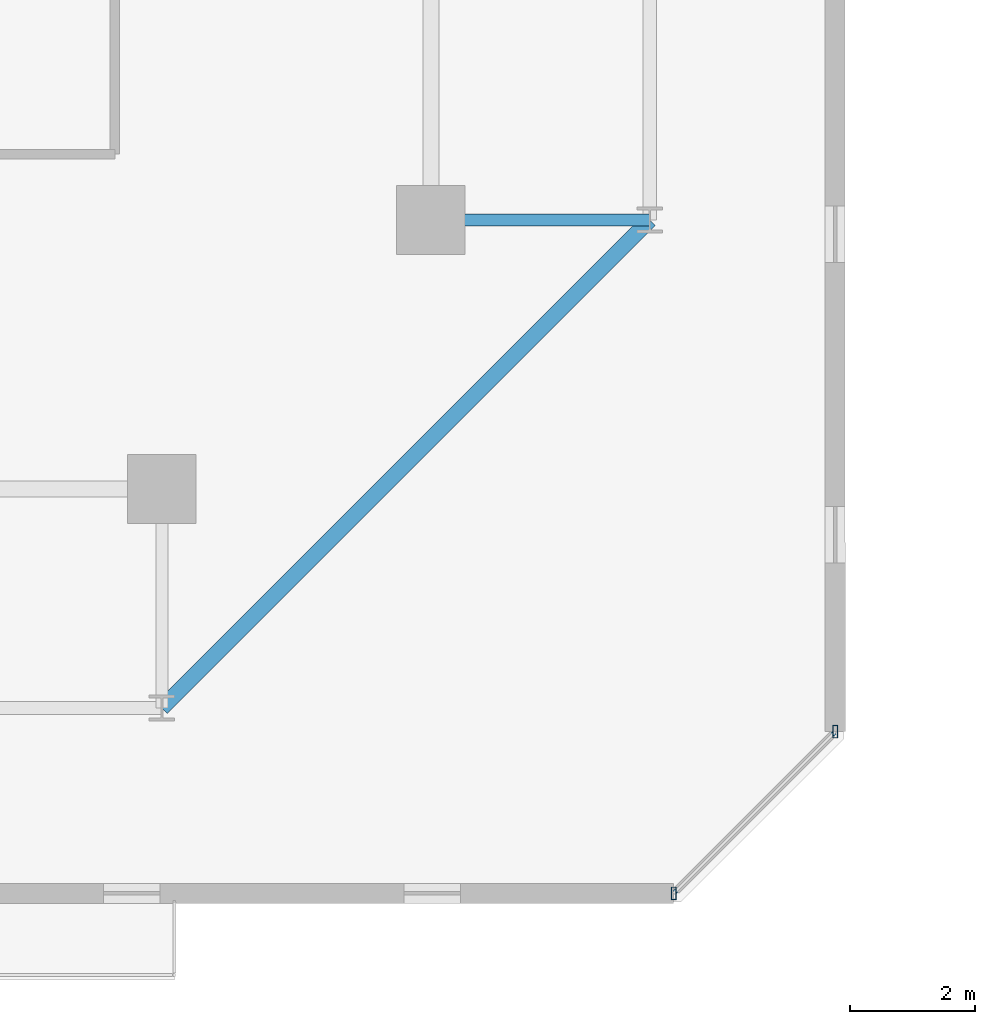
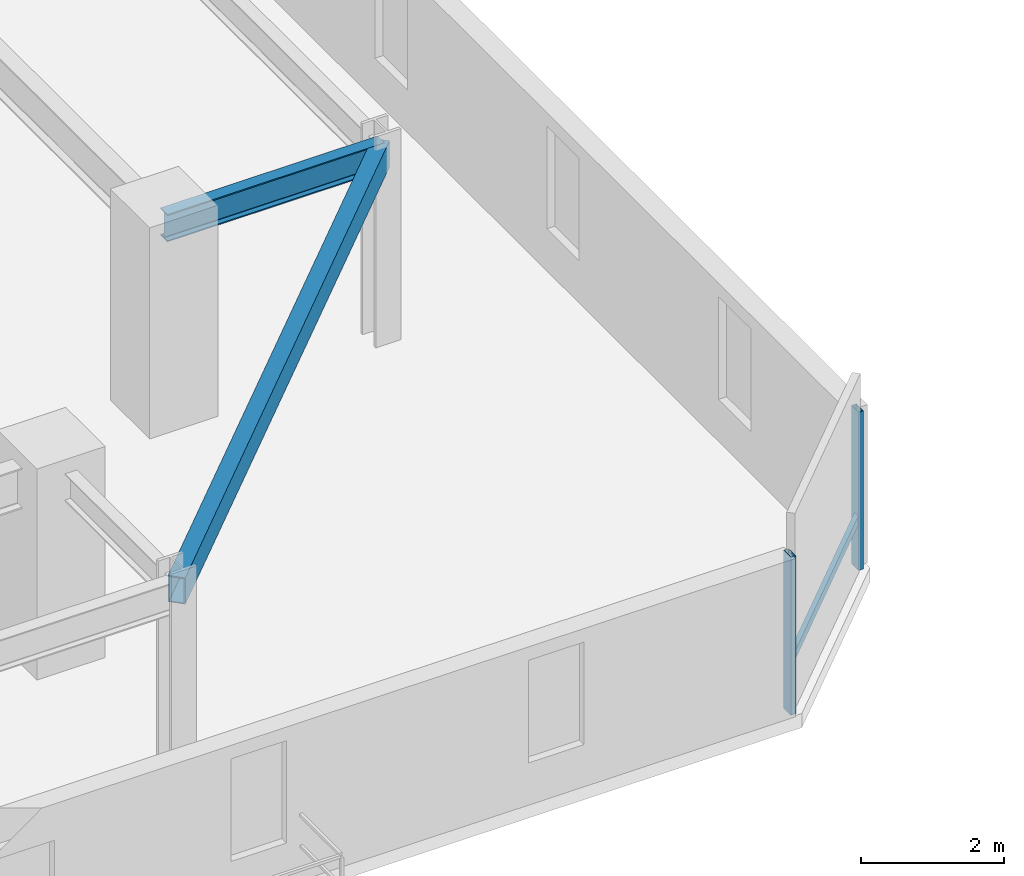
# One storey, part 5 of 33: 3 members, 2 beams, 1 element without a shape of its own.
"""IFC4 building model written with IfcOpenShell, lengths in metres."""

from ifc_helpers import new_model, si_unit, direction, frame, origin, origin_2d, place, context, subcontext, project, spatial, hollow_rectangle, i_section, extrude, material, material_profile, profile_set, type_object, element, aggregate, save


model = new_model("IFC4")

# Units and contexts
model_context = context("Model", 3, precision=1e-05, world=origin(), true_north=direction((0.0, 1.0)))
body_context = subcontext(model_context, "Body", "Model", "MODEL_VIEW")
ifc_project = project(units=[si_unit("LENGTHUNIT", "METRE"), si_unit("AREAUNIT", "SQUARE_METRE"), si_unit("VOLUMEUNIT", "CUBIC_METRE"), si_unit("PLANEANGLEUNIT", "RADIAN"), si_unit("MASSUNIT", "GRAM", prefix="KILO")], contexts=[model_context])

# Site, building, storey
site_placement = place(None, origin())
site = spatial("IfcSite", under=ifc_project, at=site_placement, CompositionType="ELEMENT")
building_placement = place(site_placement, origin())
building = spatial("IfcBuilding", under=site, at=building_placement, Name="Thornwick Lancets Civic Towers", CompositionType="ELEMENT")
storey_placement = place(building_placement, frame((0.0, 0.0, 163.5)))
storey = spatial("IfcBuildingStorey", under=building, at=storey_placement, Name="L43", CompositionType="ELEMENT", Elevation=163.5)

# Beams
ifc_material_1 = material(Name="Steel S355JR", Category="steel")
ifc_material_profile_1 = material_profile(ifc_material_1, i_section(OverallWidth=0.19287109375, OverallDepth=0.46728515625, WebThickness=0.011474609375, FlangeThickness=0.01953125, FilletRadius=0.01025390625, at=origin_2d()), Name="UKB 457x191x98")
ifc_profile_set_1 = profile_set([ifc_material_profile_1], Name="Steel S355JR")
beam_type_1 = type_object("IfcBeamType", Name="BM_JOIST_457_98", PredefinedType="JOIST", material=ifc_profile_set_1)
beam_1_placement = place(storey_placement, frame((42.800048828125, 14.0, 3.12646484375), z_axis=(1.0, 0.0, 0.0), x_axis=(0.0, 1.0, 0.0)))
element("IfcBeam", 1, at=beam_1_placement, inside=storey, type_object=beam_type_1, Name="BM-RAD-L43-A04", PredefinedType="JOIST", context=body_context, shape_type="SweptSolid", body=[
    extrude(i_section(OverallWidth=0.19287109375, OverallDepth=0.46728515625, WebThickness=0.011474609375, FlangeThickness=0.01953125, FilletRadius=0.01025390625, at=origin_2d()), origin(), (0.0, 0.0, 1.0), 3.5),
])
ifc_material_profile_2 = material_profile(ifc_material_1, hollow_rectangle(XDim=0.25, YDim=0.449951171875, WallThickness=0.01611328125, at=origin_2d()), Name="RHS 450x250x16")
ifc_profile_set_2 = profile_set([ifc_material_profile_2], Name="Steel S355JR")
beam_type_2 = type_object("IfcBeamType", Name="BM_RING_RHS450", PredefinedType="BEAM", material=ifc_profile_set_2)
beam_2_placement = place(storey_placement, frame((38.5, 6.199951171875, 3.135009765625), z_axis=(0.707106781187, 0.707106781187, 0.0), x_axis=(-0.707106781187, 0.707106781187, 0.0)))
element("IfcBeam", 2, at=beam_2_placement, inside=storey, type_object=beam_type_2, Name="BM-CHAMF-L43-A-C0", PredefinedType="BEAM", context=body_context, shape_type="SweptSolid", body=[
    extrude(hollow_rectangle(XDim=0.25, YDim=0.449951171875, WallThickness=0.01611328125, at=origin_2d()), origin(), (0.0, 0.0, 1.0), 11.031005859375),
])

# Curtain wall, members
ifc_material_2 = material(Name="Mid-zone chamfered-corner unitised glass curtain wall", Category="glass")
curtain_wall_type = type_object("IfcCurtainWallType", Name="CW_SYS_04", PredefinedType="NOTDEFINED", material=ifc_material_2)
curtain_wall_placement = place(storey_placement, origin())
curtain_wall = element("IfcCurtainWall", 3, at=curtain_wall_placement, inside=storey, type_object=curtain_wall_type, Name="L43 Curtain Wall CW-L43-A-E1", PredefinedType="NOTDEFINED")
ifc_material_3 = material(Name="Thermally broken bronze aluminium S355", Category="steel")
ifc_material_profile_3 = material_profile(ifc_material_3, hollow_rectangle(XDim=0.080078125, YDim=0.199951171875, WallThickness=0.006103515625, at=origin_2d()), Name="RHS 200x80x6")
ifc_profile_set_3 = profile_set([ifc_material_profile_3], Name="Thermally broken bronze aluminium S355")
member_type_1 = type_object("IfcMemberType", Name="CW_MUL_200", PredefinedType="MULLION", material=ifc_profile_set_3)
member_1_placement = place(storey_placement, frame((46.681396484375, 3.2353515625, 0.0), z_axis=(0.0, 0.0, 1.0), x_axis=(1.0, 0.0, 0.0)))
member_1 = element("IfcMember", 4, at=member_1_placement, type_object=member_type_1, Name="CW-L43-A-E1 Mullion 0", PredefinedType="MULLION", context=body_context, shape_type="SweptSolid", body=[
    extrude(hollow_rectangle(XDim=0.080078125, YDim=0.199951171875, WallThickness=0.006103515625, at=origin_2d()), origin(), (0.0, 0.0, 1.0), 2.699951171875),
])
member_2_placement = place(storey_placement, frame((49.2646484375, 5.818603515625, 0.0), z_axis=(0.0, 0.0, 1.0), x_axis=(1.0, 0.0, 0.0)))
member_2 = element("IfcMember", 5, at=member_2_placement, type_object=member_type_1, Name="CW-L43-A-E1 Mullion 1", PredefinedType="MULLION", context=body_context, shape_type="SweptSolid", body=[
    extrude(hollow_rectangle(XDim=0.080078125, YDim=0.199951171875, WallThickness=0.006103515625, at=origin_2d()), origin(), (0.0, 0.0, 1.0), 2.699951171875),
])
ifc_material_profile_4 = material_profile(ifc_material_3, hollow_rectangle(XDim=0.074951171875, YDim=0.14990234375, WallThickness=0.0048828125, at=origin_2d()), Name="RHS 150x75x5")
ifc_profile_set_4 = profile_set([ifc_material_profile_4], Name="Thermally broken bronze aluminium S355")
member_type_2 = type_object("IfcMemberType", Name="CW_TRN_150", PredefinedType="USERDEFINED", material=ifc_profile_set_4)
member_3_placement = place(storey_placement, frame((46.695556640625, 3.24951171875, 0.85009765625), z_axis=(0.707106781187, 0.707106781187, 0.0), x_axis=(-0.707106781187, 0.707106781187, 0.0)))
member_3 = element("IfcMember", 6, at=member_3_placement, type_object=member_type_2, Name="CW-L43-A-E1 Transom 0", ObjectType="TRANSOM", PredefinedType="USERDEFINED", context=body_context, shape_type="SweptSolid", body=[
    extrude(hollow_rectangle(XDim=0.074951171875, YDim=0.14990234375, WallThickness=0.0048828125, at=origin_2d()), origin(), (0.0, 0.0, 1.0), 3.61328125),
])
aggregate(curtain_wall, [member_1, member_2, member_3])

save(model, "model.ifc")
